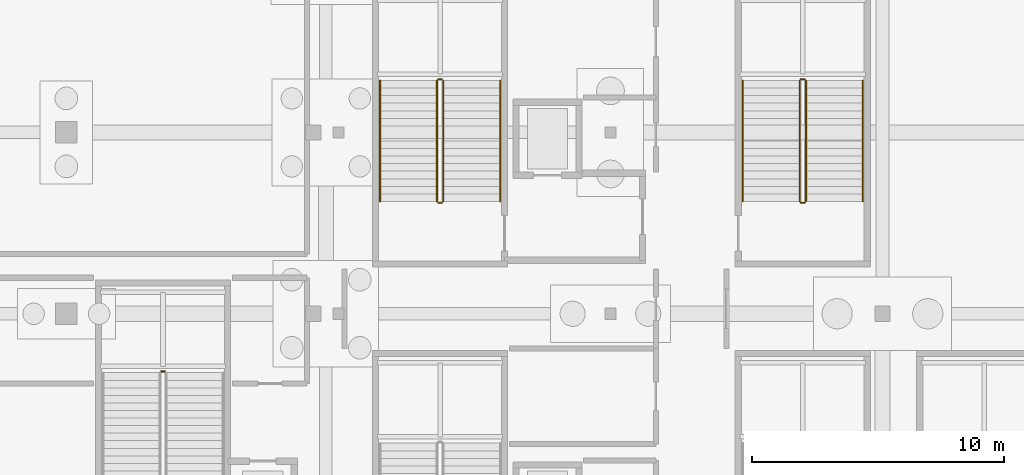
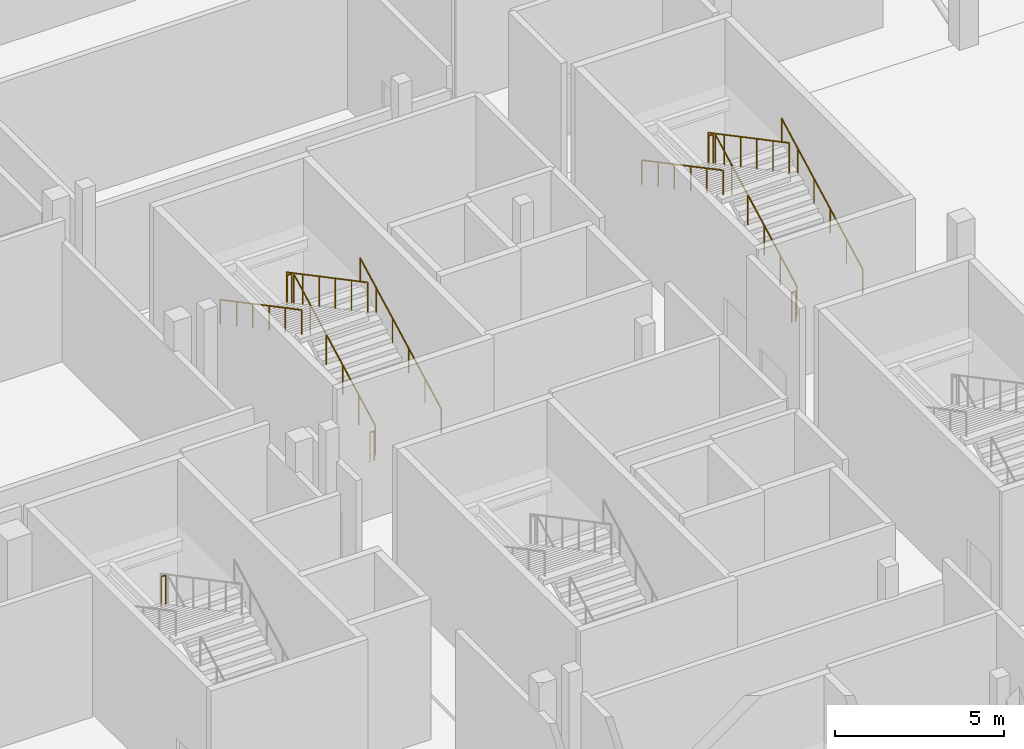
# One storey, part 68 of 89: 13 railings.
"""IFC4 building model written with IfcOpenShell, lengths in metres."""

from ifc_helpers import new_model, si_unit, direction, frame, origin, origin_2d, place, context, subcontext, project, spatial, circle, extrude, material, type_object, element, save


model = new_model("IFC4")

# Units and contexts
model_context = context("Model", 3, precision=1e-05, world=origin(), true_north=direction((0.0, 1.0)))
body_context = subcontext(model_context, "Body", "Model", "MODEL_VIEW")
ifc_project = project(units=[si_unit("LENGTHUNIT", "METRE"), si_unit("AREAUNIT", "SQUARE_METRE"), si_unit("VOLUMEUNIT", "CUBIC_METRE"), si_unit("PLANEANGLEUNIT", "RADIAN"), si_unit("MASSUNIT", "GRAM", prefix="KILO")], contexts=[model_context])

# Site, building, storey
site_placement = place(None, origin())
site = spatial("IfcSite", under=ifc_project, at=site_placement, CompositionType="ELEMENT")
building_placement = place(site_placement, origin())
building = spatial("IfcBuilding", under=site, at=building_placement, Name="Koshinbarg Plaza Stadium", CompositionType="ELEMENT")
storey_placement = place(building_placement, origin())
storey = spatial("IfcBuildingStorey", under=building, at=storey_placement, Name="L00", CompositionType="ELEMENT", Elevation=0.0)

# Railings
ifc_material_1 = material(Name="Galvanized painted steel guardrail", Category="steel")
railing_type_1 = type_object("IfcRailingType", Name="RL-GUARD-1100", PredefinedType="GUARDRAIL", material=ifc_material_1)
railing_1_placement = place(storey_placement, frame((28.760009765625, 101.9599609375, 0.158935546875)))
element("IfcRailing", 1, at=railing_1_placement, inside=storey, type_object=railing_type_1, Name="L00 C06 stair guard 1", PredefinedType="GUARDRAIL", context=body_context, shape_type="SweptSolid", body=[
    extrude(circle(Radius=0.02392578125, at=origin_2d()), frame((0.0, 0.0, 1.076171875), z_axis=(0.0, 0.883802130504, 0.467860870469), x_axis=(-1.0, 0.0, 0.0)), (0.0, 0.0, 1.0), 5.43115234375),
    extrude(circle(Radius=0.02099609375, at=origin_2d()), origin(), (0.0, 0.0, 1.0), 1.052001953125),
    extrude(circle(Radius=0.02099609375, at=origin_2d()), frame((0.0, 0.9599609375, 0.50830078125)), (0.0, 0.0, 1.0), 1.052001953125),
    extrude(circle(Radius=0.02099609375, at=origin_2d()), frame((0.0, 1.919921875, 1.016357421875)), (0.0, 0.0, 1.0), 1.052001953125),
    extrude(circle(Radius=0.02099609375, at=origin_2d()), frame((0.0, 2.880126953125, 1.524658203125)), (0.0, 0.0, 1.0), 1.052001953125),
    extrude(circle(Radius=0.02099609375, at=origin_2d()), frame((0.0, 3.840087890625, 2.03271484375)), (0.0, 0.0, 1.0), 1.052001953125),
    extrude(circle(Radius=0.02099609375, at=origin_2d()), frame((0.0, 4.800048828125, 2.541015625)), (0.0, 0.0, 1.0), 1.052001953125),
])
railing_2_placement = place(storey_placement, frame((28.7099609375, 106.81005859375, 2.699951171875)))
element("IfcRailing", 2, at=railing_2_placement, inside=storey, type_object=railing_type_1, Name="L00 C06 stair guard 2", PredefinedType="GUARDRAIL", context=body_context, shape_type="SweptSolid", body=[
    extrude(circle(Radius=0.02392578125, at=origin_2d()), frame((0.0, 0.0, 1.076171875), z_axis=(-1.0, 0.0, 0.0), x_axis=(0.0, -1.0, 0.0)), (0.0, 0.0, 1.0), 0.14990234375),
    extrude(circle(Radius=0.02099609375, at=origin_2d()), origin(), (0.0, 0.0, 1.0), 1.052001953125),
    extrude(circle(Radius=0.02099609375, at=origin_2d()), frame((-0.14990234375, 0.0, 0.0)), (0.0, 0.0, 1.0), 1.052001953125),
])
railing_3_placement = place(storey_placement, frame((28.510009765625, 106.760009765625, 2.85888671875)))
element("IfcRailing", 3, at=railing_3_placement, inside=storey, type_object=railing_type_1, Name="L00 C06 stair guard 3", PredefinedType="GUARDRAIL", context=body_context, shape_type="SweptSolid", body=[
    extrude(circle(Radius=0.02392578125, at=origin_2d()), frame((0.0, 0.0, 1.076171875), z_axis=(0.0, -0.883802130504, 0.467860870469), x_axis=(1.0, 0.0, 0.0)), (0.0, 0.0, 1.0), 5.43115234375),
    extrude(circle(Radius=0.02099609375, at=origin_2d()), origin(), (0.0, 0.0, 1.0), 1.052001953125),
    extrude(circle(Radius=0.02099609375, at=origin_2d()), frame((0.0, -0.9599609375, 0.50830078125)), (0.0, 0.0, 1.0), 1.052001953125),
    extrude(circle(Radius=0.02099609375, at=origin_2d()), frame((0.0, -1.919921875, 1.016357421875)), (0.0, 0.0, 1.0), 1.052001953125),
    extrude(circle(Radius=0.02099609375, at=origin_2d()), frame((0.0, -2.880126953125, 1.524658203125)), (0.0, 0.0, 1.0), 1.052001953125),
    extrude(circle(Radius=0.02099609375, at=origin_2d()), frame((0.0, -3.840087890625, 2.03271484375)), (0.0, 0.0, 1.0), 1.052001953125),
    extrude(circle(Radius=0.02099609375, at=origin_2d()), frame((0.0, -4.800048828125, 2.541015625)), (0.0, 0.0, 1.0), 1.052001953125),
])
for number, where, name in (
    (4, (28.7099609375, 101.909912109375, 0.0), "L00 C06 stair guard 4"),
    (5, (17.7099609375, 95.2099609375, 2.699951171875), "L00 C15 stair guard 2"),
):
    element("IfcRailing", number, at=place(storey_placement, frame(where)), inside=storey, type_object=railing_type_1, Name=name, PredefinedType="GUARDRAIL", context=body_context, shape_type="SweptSolid", body=[
        extrude(circle(Radius=0.02392578125, at=origin_2d()), frame((0.0, 0.0, 1.076171875), z_axis=(-1.0, 0.0, 0.0), x_axis=(0.0, -1.0, 0.0)), (0.0, 0.0, 1.0), 0.14990234375),
        extrude(circle(Radius=0.02099609375, at=origin_2d()), origin(), (0.0, 0.0, 1.0), 1.052001953125),
        extrude(circle(Radius=0.02099609375, at=origin_2d()), frame((-0.14990234375, 0.0, 0.0)), (0.0, 0.0, 1.0), 1.052001953125),
    ])
railing_4_placement = place(storey_placement, frame((43.159912109375, 101.9599609375, 0.158935546875)))
element("IfcRailing", 6, at=railing_4_placement, inside=storey, type_object=railing_type_1, Name="L00 VX06 stair guard 1", PredefinedType="GUARDRAIL", context=body_context, shape_type="SweptSolid", body=[
    extrude(circle(Radius=0.02392578125, at=origin_2d()), frame((0.0, 0.0, 1.076171875), z_axis=(0.0, 0.883802130504, 0.467860870469), x_axis=(-1.0, 0.0, 0.0)), (0.0, 0.0, 1.0), 5.43115234375),
    extrude(circle(Radius=0.02099609375, at=origin_2d()), origin(), (0.0, 0.0, 1.0), 1.052001953125),
    extrude(circle(Radius=0.02099609375, at=origin_2d()), frame((0.0, 0.9599609375, 0.50830078125)), (0.0, 0.0, 1.0), 1.052001953125),
    extrude(circle(Radius=0.02099609375, at=origin_2d()), frame((0.0, 1.919921875, 1.016357421875)), (0.0, 0.0, 1.0), 1.052001953125),
    extrude(circle(Radius=0.02099609375, at=origin_2d()), frame((0.0, 2.880126953125, 1.524658203125)), (0.0, 0.0, 1.0), 1.052001953125),
    extrude(circle(Radius=0.02099609375, at=origin_2d()), frame((0.0, 3.840087890625, 2.03271484375)), (0.0, 0.0, 1.0), 1.052001953125),
    extrude(circle(Radius=0.02099609375, at=origin_2d()), frame((0.0, 4.800048828125, 2.541015625)), (0.0, 0.0, 1.0), 1.052001953125),
])
railing_5_placement = place(storey_placement, frame((43.110107421875, 106.81005859375, 2.699951171875)))
element("IfcRailing", 7, at=railing_5_placement, inside=storey, type_object=railing_type_1, Name="L00 VX06 stair guard 2", PredefinedType="GUARDRAIL", context=body_context, shape_type="SweptSolid", body=[
    extrude(circle(Radius=0.02392578125, at=origin_2d()), frame((0.0, 0.0, 1.076171875), z_axis=(-1.0, 0.0, 0.0), x_axis=(0.0, -1.0, 0.0)), (0.0, 0.0, 1.0), 0.150146484375),
    extrude(circle(Radius=0.02099609375, at=origin_2d()), origin(), (0.0, 0.0, 1.0), 1.052001953125),
    extrude(circle(Radius=0.02099609375, at=origin_2d()), frame((-0.150146484375, 0.0, 0.0)), (0.0, 0.0, 1.0), 1.052001953125),
])
railing_6_placement = place(storey_placement, frame((42.909912109375, 106.760009765625, 2.85888671875)))
element("IfcRailing", 8, at=railing_6_placement, inside=storey, type_object=railing_type_1, Name="L00 VX06 stair guard 3", PredefinedType="GUARDRAIL", context=body_context, shape_type="SweptSolid", body=[
    extrude(circle(Radius=0.02392578125, at=origin_2d()), frame((0.0, 0.0, 1.076171875), z_axis=(0.0, -0.883802130504, 0.467860870469), x_axis=(1.0, 0.0, 0.0)), (0.0, 0.0, 1.0), 5.43115234375),
    extrude(circle(Radius=0.02099609375, at=origin_2d()), origin(), (0.0, 0.0, 1.0), 1.052001953125),
    extrude(circle(Radius=0.02099609375, at=origin_2d()), frame((0.0, -0.9599609375, 0.50830078125)), (0.0, 0.0, 1.0), 1.052001953125),
    extrude(circle(Radius=0.02099609375, at=origin_2d()), frame((0.0, -1.919921875, 1.016357421875)), (0.0, 0.0, 1.0), 1.052001953125),
    extrude(circle(Radius=0.02099609375, at=origin_2d()), frame((0.0, -2.880126953125, 1.524658203125)), (0.0, 0.0, 1.0), 1.052001953125),
    extrude(circle(Radius=0.02099609375, at=origin_2d()), frame((0.0, -3.840087890625, 2.03271484375)), (0.0, 0.0, 1.0), 1.052001953125),
    extrude(circle(Radius=0.02099609375, at=origin_2d()), frame((0.0, -4.800048828125, 2.541015625)), (0.0, 0.0, 1.0), 1.052001953125),
])
railing_7_placement = place(storey_placement, frame((43.110107421875, 101.909912109375, 0.0)))
element("IfcRailing", 9, at=railing_7_placement, inside=storey, type_object=railing_type_1, Name="L00 VX06 stair guard 4", PredefinedType="GUARDRAIL", context=body_context, shape_type="SweptSolid", body=[
    extrude(circle(Radius=0.02392578125, at=origin_2d()), frame((0.0, 0.0, 1.076171875), z_axis=(-1.0, 0.0, 0.0), x_axis=(0.0, -1.0, 0.0)), (0.0, 0.0, 1.0), 0.150146484375),
    extrude(circle(Radius=0.02099609375, at=origin_2d()), origin(), (0.0, 0.0, 1.0), 1.052001953125),
    extrude(circle(Radius=0.02099609375, at=origin_2d()), frame((-0.150146484375, 0.0, 0.0)), (0.0, 0.0, 1.0), 1.052001953125),
])
ifc_material_2 = material(Name="Brushed stainless steel handrail", Category="steel")
railing_type_2 = type_object("IfcRailingType", Name="RL-HAND-900", PredefinedType="HANDRAIL", material=ifc_material_2)
railing_8_placement = place(storey_placement, frame((31.02001953125, 101.9599609375, 0.158935546875)))
element("IfcRailing", 10, at=railing_8_placement, inside=storey, type_object=railing_type_2, Name="L00 C06 stair handrail 1", PredefinedType="HANDRAIL", context=body_context, shape_type="SweptSolid", body=[
    extrude(circle(Radius=0.02392578125, at=origin_2d()), frame((0.0, 0.0, 0.8759765625), z_axis=(0.0, 0.883802130504, 0.467860870469), x_axis=(-1.0, 0.0, 0.0)), (0.0, 0.0, 1.0), 5.43115234375),
    extrude(circle(Radius=0.02099609375, at=origin_2d()), origin(), (0.0, 0.0, 1.0), 0.851806640625),
    extrude(circle(Radius=0.02099609375, at=origin_2d()), frame((0.0, 0.9599609375, 0.50830078125)), (0.0, 0.0, 1.0), 0.851806640625),
    extrude(circle(Radius=0.02099609375, at=origin_2d()), frame((0.0, 1.919921875, 1.016357421875)), (0.0, 0.0, 1.0), 0.851806640625),
    extrude(circle(Radius=0.02099609375, at=origin_2d()), frame((0.0, 2.880126953125, 1.524658203125)), (0.0, 0.0, 1.0), 0.851806640625),
    extrude(circle(Radius=0.02099609375, at=origin_2d()), frame((0.0, 3.840087890625, 2.03271484375)), (0.0, 0.0, 1.0), 0.851806640625),
    extrude(circle(Radius=0.02099609375, at=origin_2d()), frame((0.0, 4.800048828125, 2.541015625)), (0.0, 0.0, 1.0), 0.851806640625),
])
railing_9_placement = place(storey_placement, frame((26.25, 106.760009765625, 2.85888671875)))
element("IfcRailing", 11, at=railing_9_placement, inside=storey, type_object=railing_type_2, Name="L00 C06 stair handrail 2", PredefinedType="HANDRAIL", context=body_context, shape_type="SweptSolid", body=[
    extrude(circle(Radius=0.02392578125, at=origin_2d()), frame((0.0, 0.0, 0.8759765625), z_axis=(0.0, -0.883802130504, 0.467860870469), x_axis=(1.0, 0.0, 0.0)), (0.0, 0.0, 1.0), 5.43115234375),
    extrude(circle(Radius=0.02099609375, at=origin_2d()), origin(), (0.0, 0.0, 1.0), 0.851806640625),
    extrude(circle(Radius=0.02099609375, at=origin_2d()), frame((0.0, -0.9599609375, 0.50830078125)), (0.0, 0.0, 1.0), 0.851806640625),
    extrude(circle(Radius=0.02099609375, at=origin_2d()), frame((0.0, -1.919921875, 1.016357421875)), (0.0, 0.0, 1.0), 0.851806640625),
    extrude(circle(Radius=0.02099609375, at=origin_2d()), frame((0.0, -2.880126953125, 1.524658203125)), (0.0, 0.0, 1.0), 0.851806640625),
    extrude(circle(Radius=0.02099609375, at=origin_2d()), frame((0.0, -3.840087890625, 2.03271484375)), (0.0, 0.0, 1.0), 0.851806640625),
    extrude(circle(Radius=0.02099609375, at=origin_2d()), frame((0.0, -4.800048828125, 2.541015625)), (0.0, 0.0, 1.0), 0.851806640625),
])
railing_10_placement = place(storey_placement, frame((45.419921875, 101.9599609375, 0.158935546875)))
element("IfcRailing", 12, at=railing_10_placement, inside=storey, type_object=railing_type_2, Name="L00 VX06 stair handrail 1", PredefinedType="HANDRAIL", context=body_context, shape_type="SweptSolid", body=[
    extrude(circle(Radius=0.02392578125, at=origin_2d()), frame((0.0, 0.0, 0.8759765625), z_axis=(0.0, 0.883802130504, 0.467860870469), x_axis=(-1.0, 0.0, 0.0)), (0.0, 0.0, 1.0), 5.43115234375),
    extrude(circle(Radius=0.02099609375, at=origin_2d()), origin(), (0.0, 0.0, 1.0), 0.851806640625),
    extrude(circle(Radius=0.02099609375, at=origin_2d()), frame((0.0, 0.9599609375, 0.50830078125)), (0.0, 0.0, 1.0), 0.851806640625),
    extrude(circle(Radius=0.02099609375, at=origin_2d()), frame((0.0, 1.919921875, 1.016357421875)), (0.0, 0.0, 1.0), 0.851806640625),
    extrude(circle(Radius=0.02099609375, at=origin_2d()), frame((0.0, 2.880126953125, 1.524658203125)), (0.0, 0.0, 1.0), 0.851806640625),
    extrude(circle(Radius=0.02099609375, at=origin_2d()), frame((0.0, 3.840087890625, 2.03271484375)), (0.0, 0.0, 1.0), 0.851806640625),
    extrude(circle(Radius=0.02099609375, at=origin_2d()), frame((0.0, 4.800048828125, 2.541015625)), (0.0, 0.0, 1.0), 0.851806640625),
])
railing_11_placement = place(storey_placement, frame((40.64990234375, 106.760009765625, 2.85888671875)))
element("IfcRailing", 13, at=railing_11_placement, inside=storey, type_object=railing_type_2, Name="L00 VX06 stair handrail 2", PredefinedType="HANDRAIL", context=body_context, shape_type="SweptSolid", body=[
    extrude(circle(Radius=0.02392578125, at=origin_2d()), frame((0.0, 0.0, 0.8759765625), z_axis=(0.0, -0.883802130504, 0.467860870469), x_axis=(1.0, 0.0, 0.0)), (0.0, 0.0, 1.0), 5.43115234375),
    extrude(circle(Radius=0.02099609375, at=origin_2d()), origin(), (0.0, 0.0, 1.0), 0.851806640625),
    extrude(circle(Radius=0.02099609375, at=origin_2d()), frame((0.0, -0.9599609375, 0.50830078125)), (0.0, 0.0, 1.0), 0.851806640625),
    extrude(circle(Radius=0.02099609375, at=origin_2d()), frame((0.0, -1.919921875, 1.016357421875)), (0.0, 0.0, 1.0), 0.851806640625),
    extrude(circle(Radius=0.02099609375, at=origin_2d()), frame((0.0, -2.880126953125, 1.524658203125)), (0.0, 0.0, 1.0), 0.851806640625),
    extrude(circle(Radius=0.02099609375, at=origin_2d()), frame((0.0, -3.840087890625, 2.03271484375)), (0.0, 0.0, 1.0), 0.851806640625),
    extrude(circle(Radius=0.02099609375, at=origin_2d()), frame((0.0, -4.800048828125, 2.541015625)), (0.0, 0.0, 1.0), 0.851806640625),
])

save(model, "model.ifc")
